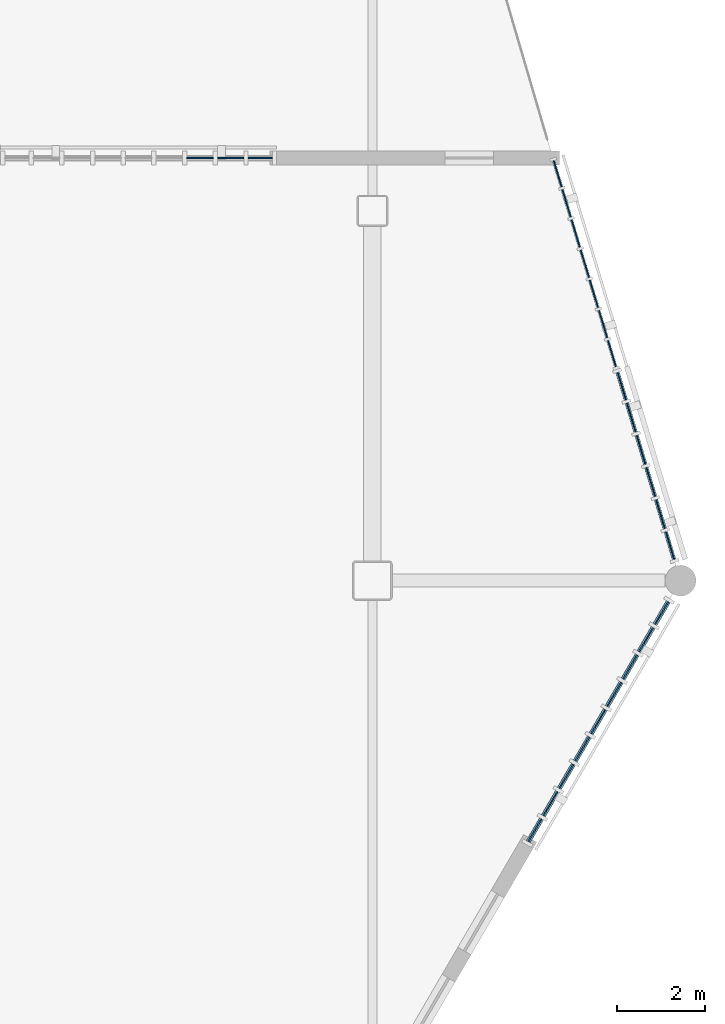
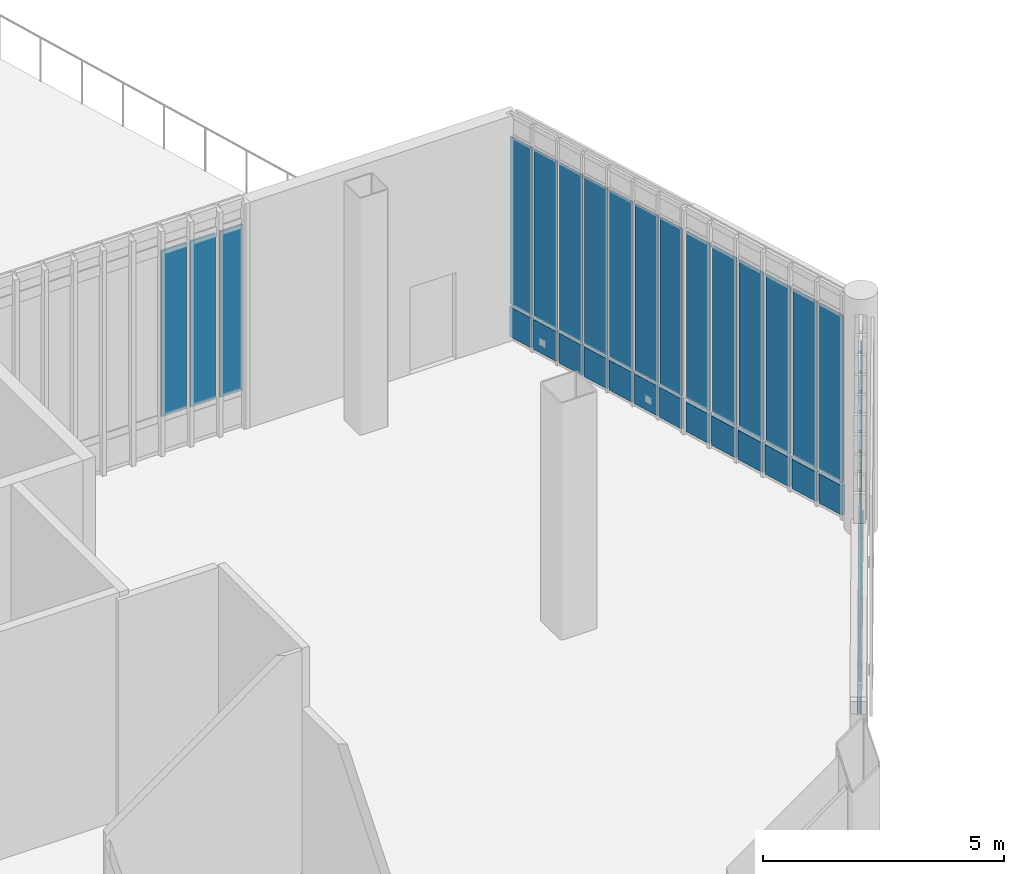
# One storey, part 81 of 135: 47 plates, 4 elements without a shape of their own.
"""IFC4 building model written with IfcOpenShell, lengths in metres."""

from ifc_helpers import new_model, si_unit, direction, frame, origin, origin_2d, place, context, subcontext, project, spatial, rectangle, extrude, material, layer, layer_set, type_object, element, aggregate, save


model = new_model("IFC4")

# Units and contexts
model_context = context("Model", 3, precision=1e-05, world=origin(), true_north=direction((0.0, 1.0)))
body_context = subcontext(model_context, "Body", "Model", "MODEL_VIEW")
ifc_project = project(units=[si_unit("LENGTHUNIT", "METRE"), si_unit("AREAUNIT", "SQUARE_METRE"), si_unit("VOLUMEUNIT", "CUBIC_METRE"), si_unit("PLANEANGLEUNIT", "RADIAN"), si_unit("MASSUNIT", "GRAM", prefix="KILO")], contexts=[model_context])

# Site, building, storey
site_placement = place(None, origin())
site = spatial("IfcSite", under=ifc_project, at=site_placement, CompositionType="ELEMENT")
building_placement = place(site_placement, origin())
building = spatial("IfcBuilding", under=site, at=building_placement, Name="Larkvane Passage Sports Hall", CompositionType="ELEMENT")
storey_placement = place(building_placement, frame((0.0, 0.0, 10.800048828125)))
storey = spatial("IfcBuildingStorey", under=building, at=storey_placement, Name="L02", CompositionType="ELEMENT", Elevation=10.800048828125)

# Curtain wall, plates
ifc_material_1 = material(Name="Thermally broken aluminium and low-E glazing", Category="aluminium")
curtain_wall_type_1 = type_object("IfcCurtainWallType", Name="CW-STICK-FOYER", PredefinedType="USERDEFINED", material=ifc_material_1)
curtain_wall_1_placement = place(storey_placement, origin())
curtain_wall_1 = element("IfcCurtainWall", 1, at=curtain_wall_1_placement, inside=storey, type_object=curtain_wall_type_1, Name="Curtain wall CW5-L02-070", ObjectType="STICK CURTAIN WALL", PredefinedType="USERDEFINED")
ifc_material_2 = material(Name="Fire-stopped shadow-box spandrel panel")
ifc_layer_1 = layer(ifc_material_2, 0.10498046875)
ifc_layer_set_1 = layer_set([ifc_layer_1], Name="Fire-stopped shadow-box spandrel panel")
plate_type_1 = type_object("IfcPlateType", Name="CWP-SPD-105", PredefinedType="CURTAIN_PANEL", material=ifc_layer_set_1)
plate_1_placement = place(storey_placement, frame((152.169677734375, 74.862060546875, 0.080078125), z_axis=(0.0, 0.0, 1.0), x_axis=(-0.503867182467, -0.86378114267, 0.0)))
plate_1 = element("IfcPlate", 2, at=plate_1_placement, type_object=plate_type_1, Name="CW-03 panel 1.1", PredefinedType="CURTAIN_PANEL", context=body_context, shape_type="SweptSolid", body=[
    extrude(rectangle(XDim=0.59912109375, YDim=0.10498046875, at=origin_2d()), origin(), (0.0, 0.0, 1.0), 0.72998046875),
])
plate_2_placement = place(storey_placement, frame((151.8173828125, 74.25830078125, 0.080078125), z_axis=(0.0, 0.0, 1.0), x_axis=(-0.503867182467, -0.86378114267, 0.0)))
plate_2 = element("IfcPlate", 3, at=plate_2_placement, type_object=plate_type_1, Name="CW-03 panel 2.1", PredefinedType="CURTAIN_PANEL", context=body_context, shape_type="SweptSolid", body=[
    extrude(rectangle(XDim=0.63916015625, YDim=0.10498046875, at=origin_2d()), origin(), (0.0, 0.0, 1.0), 0.72998046875),
])
plate_3_placement = place(storey_placement, frame((151.455078125, 73.63720703125, 0.080078125), z_axis=(0.0, 0.0, 1.0), x_axis=(-0.503867182467, -0.86378114267, 0.0)))
plate_3 = element("IfcPlate", 4, at=plate_3_placement, type_object=plate_type_1, Name="CW-03 panel 3.1", PredefinedType="CURTAIN_PANEL", context=body_context, shape_type="SweptSolid", body=[
    extrude(rectangle(XDim=0.63916015625, YDim=0.10498046875, at=origin_2d()), origin(), (0.0, 0.0, 1.0), 0.72998046875),
])
plate_4_placement = place(storey_placement, frame((151.0927734375, 73.01611328125, 0.080078125), z_axis=(0.0, 0.0, 1.0), x_axis=(-0.503867182467, -0.86378114267, 0.0)))
plate_4 = element("IfcPlate", 5, at=plate_4_placement, type_object=plate_type_1, Name="CW-03 panel 4.1", PredefinedType="CURTAIN_PANEL", context=body_context, shape_type="SweptSolid", body=[
    extrude(rectangle(XDim=0.63916015625, YDim=0.10498046875, at=origin_2d()), origin(), (0.0, 0.0, 1.0), 0.72998046875),
])
plate_5_placement = place(storey_placement, frame((150.73046875, 72.39501953125, 0.080078125), z_axis=(0.0, 0.0, 1.0), x_axis=(-0.503867182467, -0.86378114267, 0.0)))
plate_5 = element("IfcPlate", 6, at=plate_5_placement, type_object=plate_type_1, Name="CW-03 panel 5.1", PredefinedType="CURTAIN_PANEL", context=body_context, shape_type="SweptSolid", body=[
    extrude(rectangle(XDim=0.63916015625, YDim=0.10498046875, at=origin_2d()), origin(), (0.0, 0.0, 1.0), 0.72998046875),
])
plate_6_placement = place(storey_placement, frame((150.3681640625, 71.77392578125, 0.080078125), z_axis=(0.0, 0.0, 1.0), x_axis=(-0.503867182467, -0.86378114267, 0.0)))
plate_6 = element("IfcPlate", 7, at=plate_6_placement, type_object=plate_type_1, Name="CW-03 panel 6.1", PredefinedType="CURTAIN_PANEL", context=body_context, shape_type="SweptSolid", body=[
    extrude(rectangle(XDim=0.63916015625, YDim=0.10498046875, at=origin_2d()), origin(), (0.0, 0.0, 1.0), 0.72998046875),
])
plate_7_placement = place(storey_placement, frame((150.005859375, 71.15283203125, 0.080078125), z_axis=(0.0, 0.0, 1.0), x_axis=(-0.503867182467, -0.86378114267, 0.0)))
plate_7 = element("IfcPlate", 8, at=plate_7_placement, type_object=plate_type_1, Name="CW-03 panel 7.1", PredefinedType="CURTAIN_PANEL", context=body_context, shape_type="SweptSolid", body=[
    extrude(rectangle(XDim=0.63916015625, YDim=0.10498046875, at=origin_2d()), origin(), (0.0, 0.0, 1.0), 0.72998046875),
])
plate_8_placement = place(storey_placement, frame((149.6435546875, 70.53173828125, 0.080078125), z_axis=(0.0, 0.0, 1.0), x_axis=(-0.503867182467, -0.86378114267, 0.0)))
plate_8 = element("IfcPlate", 9, at=plate_8_placement, type_object=plate_type_1, Name="CW-03 panel 8.1", PredefinedType="CURTAIN_PANEL", context=body_context, shape_type="SweptSolid", body=[
    extrude(rectangle(XDim=0.63916015625, YDim=0.10498046875, at=origin_2d()), origin(), (0.0, 0.0, 1.0), 0.72998046875),
])
plate_9_placement = place(storey_placement, frame((149.291259765625, 69.927734375, 0.080078125), z_axis=(0.0, 0.0, 1.0), x_axis=(-0.503867182467, -0.86378114267, 0.0)))
plate_9 = element("IfcPlate", 10, at=plate_9_placement, type_object=plate_type_1, Name="CW-03 panel 9.1", PredefinedType="CURTAIN_PANEL", context=body_context, shape_type="SweptSolid", body=[
    extrude(rectangle(XDim=0.59912109375, YDim=0.10498046875, at=origin_2d()), origin(), (0.0, 0.0, 1.0), 0.72998046875),
])

curtain_wall_type_2 = type_object("IfcCurtainWallType", Name="CW-UNIT-COURT", PredefinedType="USERDEFINED", material=ifc_material_1)
curtain_wall_2_placement = place(storey_placement, origin())
curtain_wall_2 = element("IfcCurtainWall", 11, at=curtain_wall_2_placement, inside=storey, type_object=curtain_wall_type_2, Name="Curtain wall CW5-L02-068", ObjectType="UNITISED CURTAIN WALL", PredefinedType="USERDEFINED")
ifc_material_3 = material(Name="Insulated aluminium spandrel panel", Category="aluminium")
ifc_layer_2 = layer(ifc_material_3, 0.06494140625)
ifc_layer_set_2 = layer_set([ifc_layer_2], Name="Insulated aluminium spandrel panel")
plate_type_2 = type_object("IfcPlateType", Name="CWP-SPD-65", PredefinedType="CURTAIN_PANEL", material=ifc_layer_set_2)
plate_10_placement = place(storey_placement, frame((149.807861328125, 84.8427734375, 0.06005859375), z_axis=(0.0, 0.0, 1.0), x_axis=(0.289177016584, -0.957275641119, 0.0)))
plate_10 = element("IfcPlate", 12, at=plate_10_placement, type_object=plate_type_2, Name="CW-01 panel 1.1", PredefinedType="CURTAIN_PANEL", context=body_context, shape_type="SweptSolid", body=[
    extrude(rectangle(XDim=0.626220703125, YDim=0.06494140625, at=origin_2d()), origin(), (0.0, 0.0, 1.0), 0.760009765625),
])
plate_11_placement = place(storey_placement, frame((150.0107421875, 84.17138671875, 0.06005859375), z_axis=(0.0, 0.0, 1.0), x_axis=(0.289177016584, -0.957275641119, 0.0)))
plate_11 = element("IfcPlate", 13, at=plate_11_placement, type_object=plate_type_2, Name="CW-01 panel 2.1", PredefinedType="CURTAIN_PANEL", context=body_context, shape_type="SweptSolid", body=[
    extrude(rectangle(XDim=0.65625, YDim=0.06494140625, at=origin_2d()), origin(), (0.0, 0.0, 1.0), 0.760009765625),
])
plate_12_placement = place(storey_placement, frame((150.2177734375, 83.485595703125, 0.06005859375), z_axis=(0.0, 0.0, 1.0), x_axis=(0.289177016584, -0.957275641119, 0.0)))
plate_12 = element("IfcPlate", 14, at=plate_12_placement, type_object=plate_type_2, Name="CW-01 panel 3.1", PredefinedType="CURTAIN_PANEL", context=body_context, shape_type="SweptSolid", body=[
    extrude(rectangle(XDim=0.65625, YDim=0.06494140625, at=origin_2d()), origin(), (0.0, 0.0, 1.0), 0.760009765625),
])
plate_13_placement = place(storey_placement, frame((150.425048828125, 82.800048828125, 0.06005859375), z_axis=(0.0, 0.0, 1.0), x_axis=(0.289177016584, -0.957275641119, 0.0)))
plate_13 = element("IfcPlate", 15, at=plate_13_placement, type_object=plate_type_2, Name="CW-01 panel 4.1", PredefinedType="CURTAIN_PANEL", context=body_context, shape_type="SweptSolid", body=[
    extrude(rectangle(XDim=0.65625, YDim=0.06494140625, at=origin_2d()), origin(), (0.0, 0.0, 1.0), 0.760009765625),
])
plate_14_placement = place(storey_placement, frame((150.632080078125, 82.1142578125, 0.06005859375), z_axis=(0.0, 0.0, 1.0), x_axis=(0.289177016584, -0.957275641119, 0.0)))
plate_14 = element("IfcPlate", 16, at=plate_14_placement, type_object=plate_type_2, Name="CW-01 panel 5.1", PredefinedType="CURTAIN_PANEL", context=body_context, shape_type="SweptSolid", body=[
    extrude(rectangle(XDim=0.65625, YDim=0.06494140625, at=origin_2d()), origin(), (0.0, 0.0, 1.0), 0.760009765625),
])
plate_15_placement = place(storey_placement, frame((150.83935546875, 81.428466796875, 0.06005859375), z_axis=(0.0, 0.0, 1.0), x_axis=(0.289177016584, -0.957275641119, 0.0)))
plate_15 = element("IfcPlate", 17, at=plate_15_placement, type_object=plate_type_2, Name="CW-01 panel 6.1", PredefinedType="CURTAIN_PANEL", context=body_context, shape_type="SweptSolid", body=[
    extrude(rectangle(XDim=0.65625, YDim=0.06494140625, at=origin_2d()), origin(), (0.0, 0.0, 1.0), 0.760009765625),
])
plate_16_placement = place(storey_placement, frame((151.0419921875, 80.75732421875, 0.06005859375), z_axis=(0.0, 0.0, 1.0), x_axis=(0.289177016584, -0.957275641119, 0.0)))
plate_16 = element("IfcPlate", 18, at=plate_16_placement, type_object=plate_type_2, Name="CW-01 panel 7.1", PredefinedType="CURTAIN_PANEL", context=body_context, shape_type="SweptSolid", body=[
    extrude(rectangle(XDim=0.626220703125, YDim=0.06494140625, at=origin_2d()), origin(), (0.0, 0.0, 1.0), 0.760009765625),
])

curtain_wall_type_3 = type_object("IfcCurtainWallType", Name="CW-UNIT-VEIL", PredefinedType="USERDEFINED", material=ifc_material_1)
curtain_wall_3_placement = place(storey_placement, origin())
curtain_wall_3 = element("IfcCurtainWall", 19, at=curtain_wall_3_placement, inside=storey, type_object=curtain_wall_type_3, Name="Curtain wall CW5-L02-069", ObjectType="UNITISED CURTAIN WALL", PredefinedType="USERDEFINED")
ifc_material_4 = material(Name="Mineral-wool insulated spandrel cassette")
ifc_layer_3 = layer(ifc_material_4, 0.0849609375)
ifc_layer_set_3 = layer_set([ifc_layer_3], Name="Mineral-wool insulated spandrel cassette")
plate_type_3 = type_object("IfcPlateType", Name="CWP-SPD-85", PredefinedType="CURTAIN_PANEL", material=ifc_layer_set_3)
plate_17_placement = place(storey_placement, frame((151.265380859375, 80.017822265625, 0.06982421875), z_axis=(0.0, 0.0, 1.0), x_axis=(0.289177433255, -0.957275515249, 0.0)))
plate_17 = element("IfcPlate", 20, at=plate_17_placement, type_object=plate_type_3, Name="CW-02 panel 1.1", PredefinedType="CURTAIN_PANEL", context=body_context, shape_type="SweptSolid", body=[
    extrude(rectangle(XDim=0.65869140625, YDim=0.0849609375, at=origin_2d()), origin(), (0.0, 0.0, 1.0), 0.7451171875),
])
plate_18_placement = place(storey_placement, frame((151.481201171875, 79.303466796875, 0.06982421875), z_axis=(0.0, 0.0, 1.0), x_axis=(0.289177433255, -0.957275515249, 0.0)))
plate_18 = element("IfcPlate", 21, at=plate_18_placement, type_object=plate_type_3, Name="CW-02 panel 2.1", PredefinedType="CURTAIN_PANEL", context=body_context, shape_type="SweptSolid", body=[
    extrude(rectangle(XDim=0.693603515625, YDim=0.0849609375, at=origin_2d()), origin(), (0.0, 0.0, 1.0), 0.7451171875),
])
plate_19_placement = place(storey_placement, frame((151.7021484375, 78.572509765625, 0.06982421875), z_axis=(0.0, 0.0, 1.0), x_axis=(0.289177433255, -0.957275515249, 0.0)))
plate_19 = element("IfcPlate", 22, at=plate_19_placement, type_object=plate_type_3, Name="CW-02 panel 3.1", PredefinedType="CURTAIN_PANEL", context=body_context, shape_type="SweptSolid", body=[
    extrude(rectangle(XDim=0.693603515625, YDim=0.0849609375, at=origin_2d()), origin(), (0.0, 0.0, 1.0), 0.7451171875),
])
plate_20_placement = place(storey_placement, frame((151.9228515625, 77.84130859375, 0.06982421875), z_axis=(0.0, 0.0, 1.0), x_axis=(0.289177433255, -0.957275515249, 0.0)))
plate_20 = element("IfcPlate", 23, at=plate_20_placement, type_object=plate_type_3, Name="CW-02 panel 4.1", PredefinedType="CURTAIN_PANEL", context=body_context, shape_type="SweptSolid", body=[
    extrude(rectangle(XDim=0.693603515625, YDim=0.0849609375, at=origin_2d()), origin(), (0.0, 0.0, 1.0), 0.7451171875),
])
plate_21_placement = place(storey_placement, frame((152.143798828125, 77.1103515625, 0.06982421875), z_axis=(0.0, 0.0, 1.0), x_axis=(0.289177433255, -0.957275515249, 0.0)))
plate_21 = element("IfcPlate", 24, at=plate_21_placement, type_object=plate_type_3, Name="CW-02 panel 5.1", PredefinedType="CURTAIN_PANEL", context=body_context, shape_type="SweptSolid", body=[
    extrude(rectangle(XDim=0.693603515625, YDim=0.0849609375, at=origin_2d()), origin(), (0.0, 0.0, 1.0), 0.7451171875),
])
plate_22_placement = place(storey_placement, frame((152.359619140625, 76.39599609375, 0.06982421875), z_axis=(0.0, 0.0, 1.0), x_axis=(0.289177433255, -0.957275515249, 0.0)))
plate_22 = element("IfcPlate", 25, at=plate_22_placement, type_object=plate_type_3, Name="CW-02 panel 6.1", PredefinedType="CURTAIN_PANEL", context=body_context, shape_type="SweptSolid", body=[
    extrude(rectangle(XDim=0.65869140625, YDim=0.0849609375, at=origin_2d()), origin(), (0.0, 0.0, 1.0), 0.7451171875),
])

# Plate
ifc_material_5 = material(Name="Solar-control low-E double glazing", Category="glass")
ifc_layer_4 = layer(ifc_material_5, 0.028076171875)
ifc_layer_set_4 = layer_set([ifc_layer_4], Name="Solar-control low-E double glazing")
plate_type_4 = type_object("IfcPlateType", Name="CWP-VIS-28", PredefinedType="CURTAIN_PANEL", material=ifc_layer_set_4)
plate_23_placement = place(storey_placement, frame((149.807861328125, 84.8427734375, 0.8798828125), z_axis=(0.0, 0.0, 1.0), x_axis=(0.289177016584, -0.957275641119, 0.0)))
plate_23 = element("IfcPlate", 26, at=plate_23_placement, type_object=plate_type_4, Name="CW-01 panel 1.2", PredefinedType="CURTAIN_PANEL", context=body_context, shape_type="SweptSolid", body=[
    extrude(rectangle(XDim=0.626220703125, YDim=0.028076171875, at=origin_2d()), origin(), (0.0, 0.0, 1.0), 4.239990234375),
])

plate_24_placement = place(storey_placement, frame((150.0107421875, 84.17138671875, 0.8798828125), z_axis=(0.0, 0.0, 1.0), x_axis=(0.289177016584, -0.957275641119, 0.0)))
plate_24 = element("IfcPlate", 27, at=plate_24_placement, type_object=plate_type_4, Name="CW-01 panel 2.2", PredefinedType="CURTAIN_PANEL", context=body_context, shape_type="SweptSolid", body=[
    extrude(rectangle(XDim=0.65625, YDim=0.028076171875, at=origin_2d()), origin(), (0.0, 0.0, 1.0), 4.239990234375),
])

plate_25_placement = place(storey_placement, frame((150.2177734375, 83.485595703125, 0.8798828125), z_axis=(0.0, 0.0, 1.0), x_axis=(0.289177016584, -0.957275641119, 0.0)))
plate_25 = element("IfcPlate", 28, at=plate_25_placement, type_object=plate_type_4, Name="CW-01 panel 3.2", PredefinedType="CURTAIN_PANEL", context=body_context, shape_type="SweptSolid", body=[
    extrude(rectangle(XDim=0.65625, YDim=0.028076171875, at=origin_2d()), origin(), (0.0, 0.0, 1.0), 4.239990234375),
])

plate_26_placement = place(storey_placement, frame((150.425048828125, 82.800048828125, 0.8798828125), z_axis=(0.0, 0.0, 1.0), x_axis=(0.289177016584, -0.957275641119, 0.0)))
plate_26 = element("IfcPlate", 29, at=plate_26_placement, type_object=plate_type_4, Name="CW-01 panel 4.2", PredefinedType="CURTAIN_PANEL", context=body_context, shape_type="SweptSolid", body=[
    extrude(rectangle(XDim=0.65625, YDim=0.028076171875, at=origin_2d()), origin(), (0.0, 0.0, 1.0), 4.239990234375),
])

plate_27_placement = place(storey_placement, frame((150.632080078125, 82.1142578125, 0.8798828125), z_axis=(0.0, 0.0, 1.0), x_axis=(0.289177016584, -0.957275641119, 0.0)))
plate_27 = element("IfcPlate", 30, at=plate_27_placement, type_object=plate_type_4, Name="CW-01 panel 5.2", PredefinedType="CURTAIN_PANEL", context=body_context, shape_type="SweptSolid", body=[
    extrude(rectangle(XDim=0.65625, YDim=0.028076171875, at=origin_2d()), origin(), (0.0, 0.0, 1.0), 4.239990234375),
])

plate_28_placement = place(storey_placement, frame((150.83935546875, 81.428466796875, 0.8798828125), z_axis=(0.0, 0.0, 1.0), x_axis=(0.289177016584, -0.957275641119, 0.0)))
plate_28 = element("IfcPlate", 31, at=plate_28_placement, type_object=plate_type_4, Name="CW-01 panel 6.2", PredefinedType="CURTAIN_PANEL", context=body_context, shape_type="SweptSolid", body=[
    extrude(rectangle(XDim=0.65625, YDim=0.028076171875, at=origin_2d()), origin(), (0.0, 0.0, 1.0), 4.239990234375),
])

plate_29_placement = place(storey_placement, frame((151.0419921875, 80.75732421875, 0.8798828125), z_axis=(0.0, 0.0, 1.0), x_axis=(0.289177016584, -0.957275641119, 0.0)))
plate_29 = element("IfcPlate", 32, at=plate_29_placement, type_object=plate_type_4, Name="CW-01 panel 7.2", PredefinedType="CURTAIN_PANEL", context=body_context, shape_type="SweptSolid", body=[
    extrude(rectangle(XDim=0.626220703125, YDim=0.028076171875, at=origin_2d()), origin(), (0.0, 0.0, 1.0), 4.239990234375),
])

aggregate(curtain_wall_2, [plate_10, plate_23, plate_11, plate_24, plate_12, plate_25, plate_13, plate_26, plate_14, plate_27, plate_15, plate_28, plate_16, plate_29])

ifc_material_6 = material(Name="Laminated acoustic low-E glazing", Category="glass")
ifc_layer_5 = layer(ifc_material_6, 0.031982421875)
ifc_layer_set_5 = layer_set([ifc_layer_5], Name="Laminated acoustic low-E glazing")
plate_type_5 = type_object("IfcPlateType", Name="CWP-VIS-32", PredefinedType="CURTAIN_PANEL", material=ifc_layer_set_5)
plate_30_placement = place(storey_placement, frame((151.265380859375, 80.017822265625, 0.885009765625), z_axis=(0.0, 0.0, 1.0), x_axis=(0.289177433255, -0.957275515249, 0.0)))
plate_30 = element("IfcPlate", 33, at=plate_30_placement, type_object=plate_type_5, Name="CW-02 panel 1.2", PredefinedType="CURTAIN_PANEL", context=body_context, shape_type="SweptSolid", body=[
    extrude(rectangle(XDim=0.65869140625, YDim=0.031982421875, at=origin_2d()), origin(), (0.0, 0.0, 1.0), 4.22998046875),
])

plate_31_placement = place(storey_placement, frame((151.481201171875, 79.303466796875, 0.885009765625), z_axis=(0.0, 0.0, 1.0), x_axis=(0.289177433255, -0.957275515249, 0.0)))
plate_31 = element("IfcPlate", 34, at=plate_31_placement, type_object=plate_type_5, Name="CW-02 panel 2.2", PredefinedType="CURTAIN_PANEL", context=body_context, shape_type="SweptSolid", body=[
    extrude(rectangle(XDim=0.693603515625, YDim=0.031982421875, at=origin_2d()), origin(), (0.0, 0.0, 1.0), 4.22998046875),
])

plate_32_placement = place(storey_placement, frame((151.7021484375, 78.572509765625, 0.885009765625), z_axis=(0.0, 0.0, 1.0), x_axis=(0.289177433255, -0.957275515249, 0.0)))
plate_32 = element("IfcPlate", 35, at=plate_32_placement, type_object=plate_type_5, Name="CW-02 panel 3.2", PredefinedType="CURTAIN_PANEL", context=body_context, shape_type="SweptSolid", body=[
    extrude(rectangle(XDim=0.693603515625, YDim=0.031982421875, at=origin_2d()), origin(), (0.0, 0.0, 1.0), 4.22998046875),
])

plate_33_placement = place(storey_placement, frame((151.9228515625, 77.84130859375, 0.885009765625), z_axis=(0.0, 0.0, 1.0), x_axis=(0.289177433255, -0.957275515249, 0.0)))
plate_33 = element("IfcPlate", 36, at=plate_33_placement, type_object=plate_type_5, Name="CW-02 panel 4.2", PredefinedType="CURTAIN_PANEL", context=body_context, shape_type="SweptSolid", body=[
    extrude(rectangle(XDim=0.693603515625, YDim=0.031982421875, at=origin_2d()), origin(), (0.0, 0.0, 1.0), 4.22998046875),
])

plate_34_placement = place(storey_placement, frame((152.143798828125, 77.1103515625, 0.885009765625), z_axis=(0.0, 0.0, 1.0), x_axis=(0.289177433255, -0.957275515249, 0.0)))
plate_34 = element("IfcPlate", 37, at=plate_34_placement, type_object=plate_type_5, Name="CW-02 panel 5.2", PredefinedType="CURTAIN_PANEL", context=body_context, shape_type="SweptSolid", body=[
    extrude(rectangle(XDim=0.693603515625, YDim=0.031982421875, at=origin_2d()), origin(), (0.0, 0.0, 1.0), 4.22998046875),
])

plate_35_placement = place(storey_placement, frame((152.359619140625, 76.39599609375, 0.885009765625), z_axis=(0.0, 0.0, 1.0), x_axis=(0.289177433255, -0.957275515249, 0.0)))
plate_35 = element("IfcPlate", 38, at=plate_35_placement, type_object=plate_type_5, Name="CW-02 panel 6.2", PredefinedType="CURTAIN_PANEL", context=body_context, shape_type="SweptSolid", body=[
    extrude(rectangle(XDim=0.65869140625, YDim=0.031982421875, at=origin_2d()), origin(), (0.0, 0.0, 1.0), 4.22998046875),
])

aggregate(curtain_wall_3, [plate_17, plate_30, plate_18, plate_31, plate_19, plate_32, plate_20, plate_33, plate_21, plate_34, plate_22, plate_35])

ifc_material_7 = material(Name="High-impact court low-E glazing", Category="glass")
ifc_layer_6 = layer(ifc_material_7, 0.035888671875)
ifc_layer_set_6 = layer_set([ifc_layer_6], Name="High-impact court low-E glazing")
plate_type_6 = type_object("IfcPlateType", Name="CWP-VIS-36", PredefinedType="CURTAIN_PANEL", material=ifc_layer_set_6)
plate_36_placement = place(storey_placement, frame((152.169677734375, 74.862060546875, 0.89013671875), z_axis=(0.0, 0.0, 1.0), x_axis=(-0.503867182467, -0.86378114267, 0.0)))
plate_36 = element("IfcPlate", 39, at=plate_36_placement, type_object=plate_type_6, Name="CW-03 panel 1.2", PredefinedType="CURTAIN_PANEL", context=body_context, shape_type="SweptSolid", body=[
    extrude(rectangle(XDim=0.59912109375, YDim=0.035888671875, at=origin_2d()), origin(), (0.0, 0.0, 1.0), 4.219970703125),
])

plate_37_placement = place(storey_placement, frame((151.8173828125, 74.25830078125, 0.89013671875), z_axis=(0.0, 0.0, 1.0), x_axis=(-0.503867182467, -0.86378114267, 0.0)))
plate_37 = element("IfcPlate", 40, at=plate_37_placement, type_object=plate_type_6, Name="CW-03 panel 2.2", PredefinedType="CURTAIN_PANEL", context=body_context, shape_type="SweptSolid", body=[
    extrude(rectangle(XDim=0.63916015625, YDim=0.035888671875, at=origin_2d()), origin(), (0.0, 0.0, 1.0), 4.219970703125),
])

plate_38_placement = place(storey_placement, frame((151.455078125, 73.63720703125, 0.89013671875), z_axis=(0.0, 0.0, 1.0), x_axis=(-0.503867182467, -0.86378114267, 0.0)))
plate_38 = element("IfcPlate", 41, at=plate_38_placement, type_object=plate_type_6, Name="CW-03 panel 3.2", PredefinedType="CURTAIN_PANEL", context=body_context, shape_type="SweptSolid", body=[
    extrude(rectangle(XDim=0.63916015625, YDim=0.035888671875, at=origin_2d()), origin(), (0.0, 0.0, 1.0), 4.219970703125),
])

plate_39_placement = place(storey_placement, frame((151.0927734375, 73.01611328125, 0.89013671875), z_axis=(0.0, 0.0, 1.0), x_axis=(-0.503867182467, -0.86378114267, 0.0)))
plate_39 = element("IfcPlate", 42, at=plate_39_placement, type_object=plate_type_6, Name="CW-03 panel 4.2", PredefinedType="CURTAIN_PANEL", context=body_context, shape_type="SweptSolid", body=[
    extrude(rectangle(XDim=0.63916015625, YDim=0.035888671875, at=origin_2d()), origin(), (0.0, 0.0, 1.0), 4.219970703125),
])

plate_40_placement = place(storey_placement, frame((150.73046875, 72.39501953125, 0.89013671875), z_axis=(0.0, 0.0, 1.0), x_axis=(-0.503867182467, -0.86378114267, 0.0)))
plate_40 = element("IfcPlate", 43, at=plate_40_placement, type_object=plate_type_6, Name="CW-03 panel 5.2", PredefinedType="CURTAIN_PANEL", context=body_context, shape_type="SweptSolid", body=[
    extrude(rectangle(XDim=0.63916015625, YDim=0.035888671875, at=origin_2d()), origin(), (0.0, 0.0, 1.0), 4.219970703125),
])

plate_41_placement = place(storey_placement, frame((150.3681640625, 71.77392578125, 0.89013671875), z_axis=(0.0, 0.0, 1.0), x_axis=(-0.503867182467, -0.86378114267, 0.0)))
plate_41 = element("IfcPlate", 44, at=plate_41_placement, type_object=plate_type_6, Name="CW-03 panel 6.2", PredefinedType="CURTAIN_PANEL", context=body_context, shape_type="SweptSolid", body=[
    extrude(rectangle(XDim=0.63916015625, YDim=0.035888671875, at=origin_2d()), origin(), (0.0, 0.0, 1.0), 4.219970703125),
])

plate_42_placement = place(storey_placement, frame((150.005859375, 71.15283203125, 0.89013671875), z_axis=(0.0, 0.0, 1.0), x_axis=(-0.503867182467, -0.86378114267, 0.0)))
plate_42 = element("IfcPlate", 45, at=plate_42_placement, type_object=plate_type_6, Name="CW-03 panel 7.2", PredefinedType="CURTAIN_PANEL", context=body_context, shape_type="SweptSolid", body=[
    extrude(rectangle(XDim=0.63916015625, YDim=0.035888671875, at=origin_2d()), origin(), (0.0, 0.0, 1.0), 4.219970703125),
])

plate_43_placement = place(storey_placement, frame((149.6435546875, 70.53173828125, 0.89013671875), z_axis=(0.0, 0.0, 1.0), x_axis=(-0.503867182467, -0.86378114267, 0.0)))
plate_43 = element("IfcPlate", 46, at=plate_43_placement, type_object=plate_type_6, Name="CW-03 panel 8.2", PredefinedType="CURTAIN_PANEL", context=body_context, shape_type="SweptSolid", body=[
    extrude(rectangle(XDim=0.63916015625, YDim=0.035888671875, at=origin_2d()), origin(), (0.0, 0.0, 1.0), 4.219970703125),
])

plate_44_placement = place(storey_placement, frame((149.291259765625, 69.927734375, 0.89013671875), z_axis=(0.0, 0.0, 1.0), x_axis=(-0.503867182467, -0.86378114267, 0.0)))
plate_44 = element("IfcPlate", 47, at=plate_44_placement, type_object=plate_type_6, Name="CW-03 panel 9.2", PredefinedType="CURTAIN_PANEL", context=body_context, shape_type="SweptSolid", body=[
    extrude(rectangle(XDim=0.59912109375, YDim=0.035888671875, at=origin_2d()), origin(), (0.0, 0.0, 1.0), 4.219970703125),
])

aggregate(curtain_wall_1, [plate_1, plate_36, plate_2, plate_37, plate_3, plate_38, plate_4, plate_39, plate_5, plate_40, plate_6, plate_41, plate_7, plate_42, plate_8, plate_43, plate_9, plate_44])

# Curtain wall, plates
curtain_wall_type_4 = type_object("IfcCurtainWallType", Name="CW-CLINIC", PredefinedType="USERDEFINED", material=ifc_material_1)
curtain_wall_4_placement = place(storey_placement, origin())
curtain_wall_4 = element("IfcCurtainWall", 48, at=curtain_wall_4_placement, inside=storey, type_object=curtain_wall_type_4, Name="Curtain wall CW5-L02-067", ObjectType="UNITISED CURTAIN WALL", PredefinedType="USERDEFINED")
ifc_material_8 = material(Name="Triple-laminated typhoon glazing", Category="glass")
ifc_layer_7 = layer(ifc_material_8, 0.0419921875)
ifc_layer_set_7 = layer_set([ifc_layer_7], Name="Triple-laminated typhoon glazing")
plate_type_7 = type_object("IfcPlateType", Name="CWP-VIS-42", PredefinedType="CURTAIN_PANEL", material=ifc_layer_set_7)
plate_45_placement = place(storey_placement, frame((141.681884765625, 85.199951171875, 0.89990234375), z_axis=(0.0, 0.0, 1.0), x_axis=(1.0, 0.0, 0.0)))
plate_45 = element("IfcPlate", 49, at=plate_45_placement, type_object=plate_type_7, Name="CW-05 panel 7.2", PredefinedType="CURTAIN_PANEL", context=body_context, shape_type="SweptSolid", body=[
    extrude(rectangle(XDim=0.59716796875, YDim=0.0419921875, at=origin_2d()), origin(), (0.0, 0.0, 1.0), 4.199951171875),
])
plate_46_placement = place(storey_placement, frame((142.379150390625, 85.199951171875, 0.89990234375), z_axis=(0.0, 0.0, 1.0), x_axis=(1.0, 0.0, 0.0)))
plate_46 = element("IfcPlate", 50, at=plate_46_placement, type_object=plate_type_7, Name="CW-05 panel 8.2", PredefinedType="CURTAIN_PANEL", context=body_context, shape_type="SweptSolid", body=[
    extrude(rectangle(XDim=0.59716796875, YDim=0.0419921875, at=origin_2d()), origin(), (0.0, 0.0, 1.0), 4.199951171875),
])
plate_47_placement = place(storey_placement, frame((143.05126953125, 85.199951171875, 0.89990234375), z_axis=(0.0, 0.0, 1.0), x_axis=(1.0, 0.0, 0.0)))
plate_47 = element("IfcPlate", 51, at=plate_47_placement, type_object=plate_type_7, Name="CW-05 panel 9.2", PredefinedType="CURTAIN_PANEL", context=body_context, shape_type="SweptSolid", body=[
    extrude(rectangle(XDim=0.547119140625, YDim=0.0419921875, at=origin_2d()), origin(), (0.0, 0.0, 1.0), 4.199951171875),
])
aggregate(curtain_wall_4, [plate_45, plate_46, plate_47])

save(model, "model.ifc")
